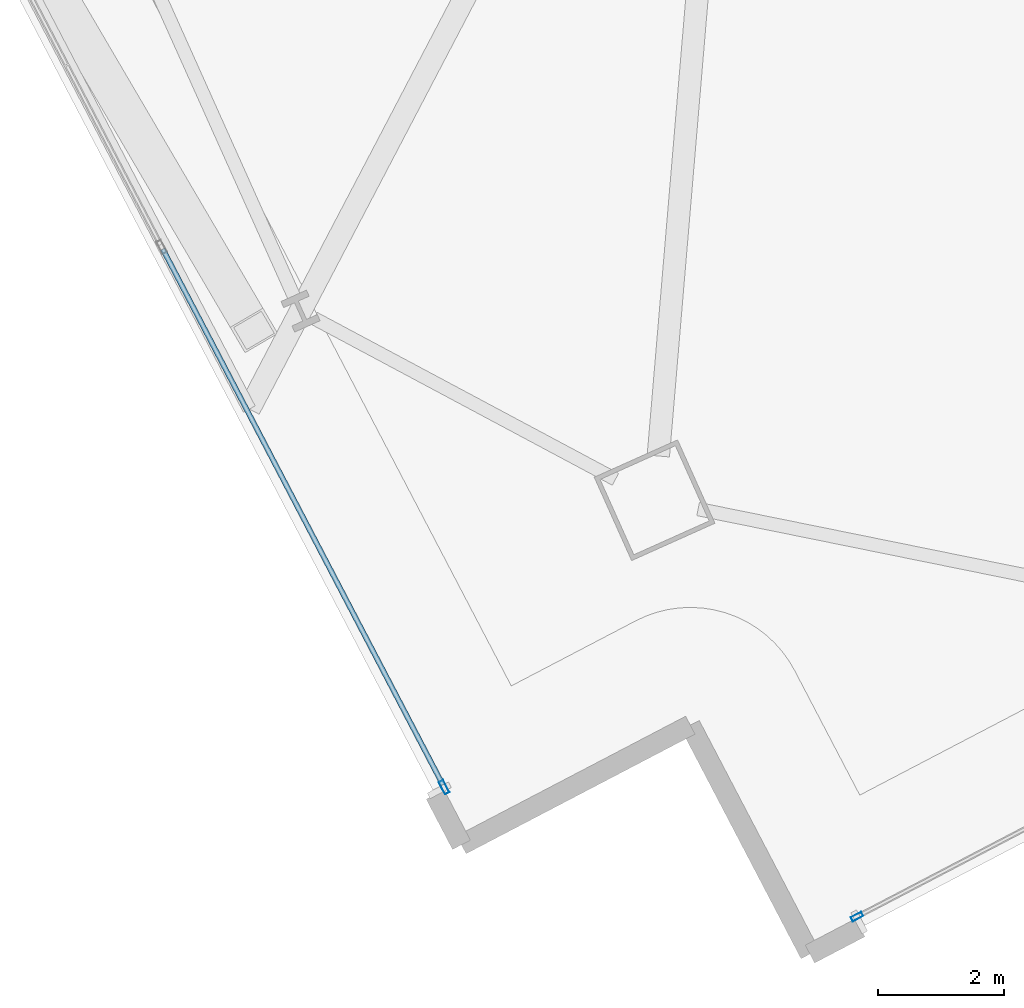
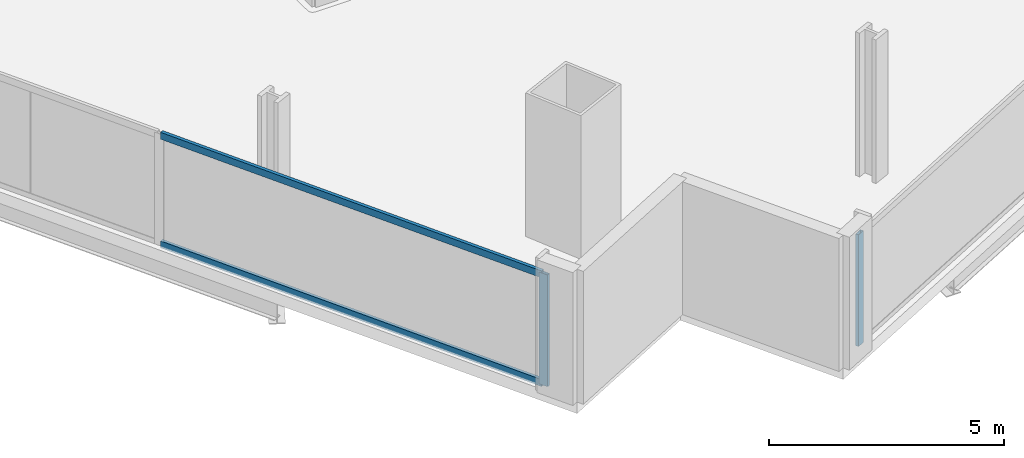
# One storey, part 3 of 33: 4 members, 2 elements without a shape of their own.
"""IFC4 building model written with IfcOpenShell, lengths in metres."""

from ifc_helpers import new_model, si_unit, direction, frame, origin, origin_2d, place, context, subcontext, project, spatial, hollow_rectangle, extrude, material, material_profile, profile_set, type_object, element, aggregate, save


model = new_model("IFC4")

# Units and contexts
model_context = context("Model", 3, precision=1e-05, world=origin(), true_north=direction((0.0, 1.0)))
body_context = subcontext(model_context, "Body", "Model", "MODEL_VIEW")
ifc_project = project(units=[si_unit("LENGTHUNIT", "METRE"), si_unit("AREAUNIT", "SQUARE_METRE"), si_unit("VOLUMEUNIT", "CUBIC_METRE"), si_unit("PLANEANGLEUNIT", "RADIAN"), si_unit("MASSUNIT", "GRAM", prefix="KILO")], contexts=[model_context])

# Site, building, storey
site_placement = place(None, origin())
site = spatial("IfcSite", under=ifc_project, at=site_placement, CompositionType="ELEMENT")
building_placement = place(site_placement, origin())
building = spatial("IfcBuilding", under=site, at=building_placement, Name="Haldenkirk Collegiate Tower", CompositionType="ELEMENT")
storey_placement = place(building_placement, frame((0.0, 0.0, 120.449951171875)))
storey = spatial("IfcBuildingStorey", under=building, at=storey_placement, Name="L29", CompositionType="ELEMENT", Elevation=120.449951171875)

# Curtain wall, member
ifc_material = material(Name="Anodised architectural bronze aluminium", Category="aluminium")
curtain_wall_type_1 = type_object("IfcCurtainWallType", Name="CW-SYS2-CONCAVE", PredefinedType="USERDEFINED", material=ifc_material)
curtain_wall_1_placement = place(storey_placement, origin())
curtain_wall_1 = element("IfcCurtainWall", 1, at=curtain_wall_1_placement, inside=storey, type_object=curtain_wall_type_1, Name="L29 South concave recessed bronze-anodised curtain wall", ObjectType="UNITISED CURTAIN WALL", PredefinedType="USERDEFINED")
ifc_material_profile_1 = material_profile(ifc_material, hollow_rectangle(XDim=0.074951171875, YDim=0.18994140625, WallThickness=0.0048828125, at=origin_2d()), Name="CW-MUL-02")
ifc_profile_set_1 = profile_set([ifc_material_profile_1], Name="Anodised architectural bronze aluminium")
member_type_1 = type_object("IfcMemberType", Name="CW-MUL-02", PredefinedType="MULLION", material=ifc_profile_set_1)
member_1_placement = place(storey_placement, frame((28.830810546875, -4.993408203125, 0.0), z_axis=(0.0, 0.0, 1.0), x_axis=(0.463296790536, -0.886203184309, 0.0)))
member_1 = element("IfcMember", 2, at=member_1_placement, type_object=member_type_1, Name="CW-02 mullion 5", PredefinedType="MULLION", context=body_context, shape_type="SweptSolid", body=[
    extrude(hollow_rectangle(XDim=0.074951171875, YDim=0.18994140625, WallThickness=0.0048828125, at=origin_2d()), origin(), (0.0, 0.0, 1.0), 2.901123046875),
])
aggregate(curtain_wall_1, [member_1])

# Curtain wall, members
curtain_wall_type_2 = type_object("IfcCurtainWallType", Name="CW-SYS1-CONVEX-LOW", PredefinedType="USERDEFINED", material=ifc_material)
curtain_wall_2_placement = place(storey_placement, origin())
curtain_wall_2 = element("IfcCurtainWall", 3, at=curtain_wall_2_placement, inside=storey, type_object=curtain_wall_type_2, Name="L29 Lower tower convex bronze-framed unitised curtain wall", ObjectType="UNITISED CURTAIN WALL", PredefinedType="USERDEFINED")
ifc_material_profile_2 = material_profile(ifc_material, hollow_rectangle(XDim=0.080078125, YDim=0.219970703125, WallThickness=0.0048828125, at=origin_2d()), Name="CW-MUL-1A")
ifc_profile_set_2 = profile_set([ifc_material_profile_2], Name="Anodised architectural bronze aluminium")
member_type_2 = type_object("IfcMemberType", Name="CW-MUL-1A", PredefinedType="MULLION", material=ifc_profile_set_2)
member_2_placement = place(storey_placement, frame((22.2744140625, -2.936767578125, 0.0), z_axis=(0.0, 0.0, 1.0), x_axis=(-0.8862046336, -0.463294018292, 0.0)))
member_2 = element("IfcMember", 4, at=member_2_placement, type_object=member_type_2, Name="CW-1A mullion 1", PredefinedType="MULLION", context=body_context, shape_type="SweptSolid", body=[
    extrude(hollow_rectangle(XDim=0.080078125, YDim=0.219970703125, WallThickness=0.0048828125, at=origin_2d()), origin(), (0.0, 0.0, 1.0), 2.901123046875),
])
ifc_material_profile_3 = material_profile(ifc_material, hollow_rectangle(XDim=0.080078125, YDim=0.179931640625, WallThickness=0.0048828125, at=origin_2d()), Name="CW-TRN-1A")
ifc_profile_set_3 = profile_set([ifc_material_profile_3], Name="Anodised architectural bronze aluminium")
member_type_3 = type_object("IfcMemberType", Name="CW-TRN-1A", PredefinedType="USERDEFINED", material=ifc_profile_set_3)
member_3_placement = place(storey_placement, frame((22.255859375, -2.9013671875, 0.0400390625), z_axis=(-0.4632968858, 0.886203134506, 0.0), x_axis=(-0.886203134506, -0.4632968858, 0.0)))
member_3 = element("IfcMember", 5, at=member_3_placement, type_object=member_type_3, Name="CW-1A transom 1.1", ObjectType="TRANSOM", PredefinedType="USERDEFINED", context=body_context, shape_type="SweptSolid", body=[
    extrude(hollow_rectangle(XDim=0.080078125, YDim=0.179931640625, WallThickness=0.0048828125, at=origin_2d()), origin(), (0.0, 0.0, 1.0), 9.5986328125),
])
member_4_placement = place(storey_placement, frame((22.255859375, -2.9013671875, 2.861083984375), z_axis=(-0.4632968858, 0.886203134506, 0.0), x_axis=(-0.886203134506, -0.4632968858, 0.0)))
member_4 = element("IfcMember", 6, at=member_4_placement, type_object=member_type_3, Name="CW-1A transom 1.2", ObjectType="TRANSOM", PredefinedType="USERDEFINED", context=body_context, shape_type="SweptSolid", body=[
    extrude(hollow_rectangle(XDim=0.080078125, YDim=0.179931640625, WallThickness=0.0048828125, at=origin_2d()), origin(), (0.0, 0.0, 1.0), 9.5986328125),
])
aggregate(curtain_wall_2, [member_2, member_3, member_4])

save(model, "model.ifc")
